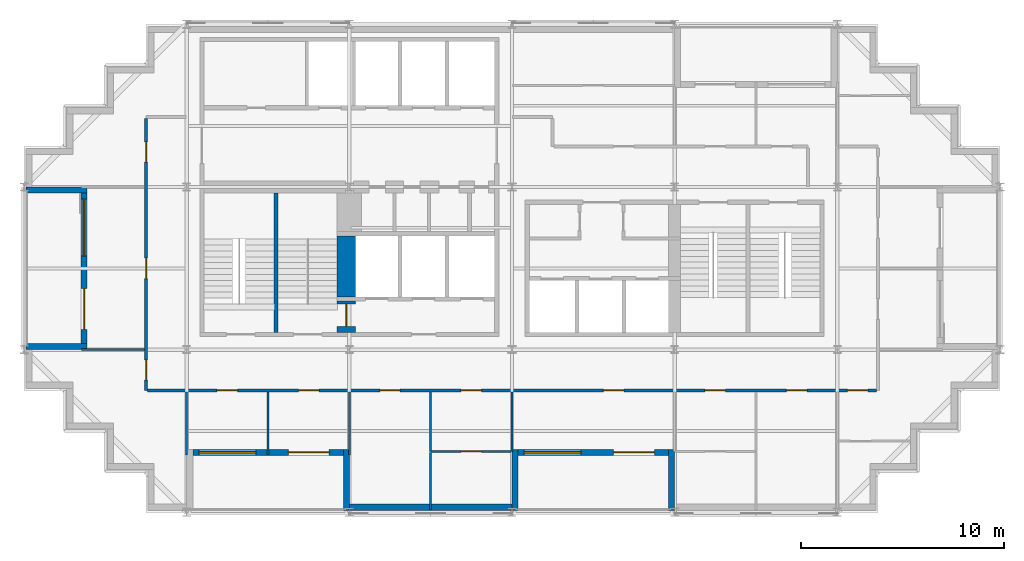
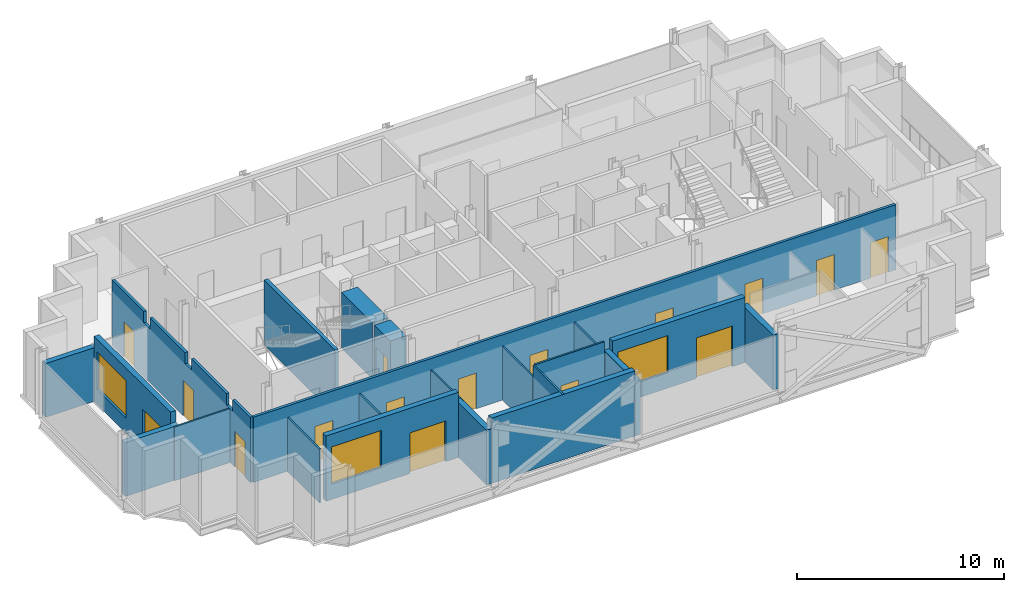
# One storey, part 4 of 9: 22 walls, 16 doors, 3 windows, 19 openings.
"""IFC4 building model written with IfcOpenShell, lengths in metres."""

from ifc_helpers import new_model, si_unit, direction, frame, frame_2d, origin, place, context, subcontext, project, spatial, polyline, rectangle, outline, extrude, material, layer, layer_set, type_object, element, fill, save


model = new_model("IFC4")

# Units and contexts
model_context = context("Model", 3, precision=1e-05, world=origin(), true_north=direction((0.0, 1.0)))
body_context = subcontext(model_context, "Body", "Model", "MODEL_VIEW")
ifc_project = project(units=[si_unit("LENGTHUNIT", "METRE"), si_unit("AREAUNIT", "SQUARE_METRE"), si_unit("VOLUMEUNIT", "CUBIC_METRE"), si_unit("PLANEANGLEUNIT", "RADIAN"), si_unit("MASSUNIT", "GRAM", prefix="KILO")], contexts=[model_context])

# Site, building, storey
site_placement = place(None, origin())
site = spatial("IfcSite", under=ifc_project, at=site_placement, CompositionType="ELEMENT")
building_placement = place(site_placement, origin())
building = spatial("IfcBuilding", under=site, at=building_placement, Name="Immortelle Media Tower", CompositionType="ELEMENT")
storey_placement = place(building_placement, frame((0.0, 0.0, 225.0)))
storey = spatial("IfcBuildingStorey", under=building, at=storey_placement, Name="L48", CompositionType="ELEMENT", Elevation=225.0)

# Wall, openings, doors
ifc_material_1 = material(Name="Fire-rated gypsum board", Category="gypsum")
ifc_layer_1 = layer(ifc_material_1, 0.012451171875)
ifc_material_2 = material(Name="Steel ASTM A653 SS Gr 50 stud frame with mineral wool", Category="steel")
ifc_layer_2 = layer(ifc_material_2, 0.125)
ifc_layer_3 = layer(ifc_material_1, 0.012451171875)
ifc_layer_set_1 = layer_set([ifc_layer_1, ifc_layer_2, ifc_layer_3], Name="Steel ASTM A653 SS Gr 50 stud frame with mineral wool")
wall_type_1 = type_object("IfcWallType", Name="Corridor wall 150", PredefinedType="PARTITIONING", material=ifc_layer_set_1)
wall_1_placement = place(storey_placement, frame((6.074951171875, 6.0, 0.0), z_axis=(0.0, 0.0, 1.0), x_axis=(1.0, 0.0, 0.0)))
wall_1 = element("IfcWall", 1, at=wall_1_placement, inside=storey, type_object=wall_type_1, Name="Partition L48-015", PredefinedType="PARTITIONING", context=body_context, shape_type="SweptSolid", body=[
    extrude(rectangle(XDim=35.85009765625, YDim=0.14990234375, at=frame_2d((17.925048828125, 0.0))), origin(), (0.0, 0.0, 1.0), 3.85009765625),
])
opening_1_placement = place(wall_1_placement, frame((12.425048828125, 0.0, 0.0), z_axis=(0.0, 0.0, 1.0), x_axis=(-1.0, 0.0, 0.0)))
opening_1 = element("IfcOpeningElement", 2, at=opening_1_placement, cuts=wall_1, Name="Opening O5-F001", PredefinedType="OPENING", context=body_context, shape_type="SweptSolid", body=[
    extrude(rectangle(XDim=1.0, YDim=2.10009765625, at=frame_2d((0.5, 1.050048828125))), frame((0.0, 0.0849609375, 0.0), z_axis=(0.0, -1.0, 0.0), x_axis=(1.0, 0.0, 0.0)), (0.0, 0.0, 1.0), 0.169921875),
])
opening_2_placement = place(wall_1_placement, frame((16.425048828125, 0.0, 0.0), z_axis=(0.0, 0.0, 1.0), x_axis=(-1.0, 0.0, 0.0)))
opening_2 = element("IfcOpeningElement", 3, at=opening_2_placement, cuts=wall_1, Name="Opening O5-F002", PredefinedType="OPENING", context=body_context, shape_type="SweptSolid", body=[
    extrude(rectangle(XDim=1.0, YDim=2.10009765625, at=frame_2d((0.5, 1.050048828125))), frame((0.0, 0.0849609375, 0.0), z_axis=(0.0, -1.0, 0.0), x_axis=(1.0, 0.0, 0.0)), (0.0, 0.0, 1.0), 0.169921875),
])
opening_3_placement = place(wall_1_placement, frame((28.425048828125, 0.0, 0.0), z_axis=(0.0, 0.0, 1.0), x_axis=(-1.0, 0.0, 0.0)))
opening_3 = element("IfcOpeningElement", 4, at=opening_3_placement, cuts=wall_1, Name="Opening O5-F004", PredefinedType="OPENING", context=body_context, shape_type="SweptSolid", body=[
    extrude(rectangle(XDim=1.0, YDim=2.10009765625, at=frame_2d((0.5, 1.050048828125))), frame((0.0, 0.0849609375, 0.0), z_axis=(0.0, -1.0, 0.0), x_axis=(1.0, 0.0, 0.0)), (0.0, 0.0, 1.0), 0.169921875),
])
opening_4_placement = place(wall_1_placement, frame((32.425048828125, 0.0, 0.0), z_axis=(0.0, 0.0, 1.0), x_axis=(-1.0, 0.0, 0.0)))
opening_4 = element("IfcOpeningElement", 5, at=opening_4_placement, cuts=wall_1, Name="Opening O5-F006", PredefinedType="OPENING", context=body_context, shape_type="SweptSolid", body=[
    extrude(rectangle(XDim=1.0, YDim=2.10009765625, at=frame_2d((0.5, 1.050048828125))), frame((0.0, 0.0849609375, 0.0), z_axis=(0.0, -1.0, 0.0), x_axis=(1.0, 0.0, 0.0)), (0.0, 0.0, 1.0), 0.169921875),
])
opening_5_placement = place(wall_1_placement, frame((4.425048828125, 0.0, 0.0), z_axis=(0.0, 0.0, 1.0), x_axis=(-1.0, 0.0, 0.0)))
opening_5 = element("IfcOpeningElement", 6, at=opening_5_placement, cuts=wall_1, Name="Opening O5-F007", PredefinedType="OPENING", context=body_context, shape_type="SweptSolid", body=[
    extrude(rectangle(XDim=1.0, YDim=2.10009765625, at=frame_2d((0.5, 1.050048828125))), frame((0.0, 0.0849609375, 0.0), z_axis=(0.0, -1.0, 0.0), x_axis=(1.0, 0.0, 0.0)), (0.0, 0.0, 1.0), 0.169921875),
])
opening_6_placement = place(wall_1_placement, frame((8.425048828125, 0.0, 0.0), z_axis=(0.0, 0.0, 1.0), x_axis=(-1.0, 0.0, 0.0)))
opening_6 = element("IfcOpeningElement", 7, at=opening_6_placement, cuts=wall_1, Name="Opening O5-F008", PredefinedType="OPENING", context=body_context, shape_type="SweptSolid", body=[
    extrude(rectangle(XDim=1.0, YDim=2.10009765625, at=frame_2d((0.5, 1.050048828125))), frame((0.0, 0.0849609375, 0.0), z_axis=(0.0, -1.0, 0.0), x_axis=(1.0, 0.0, 0.0)), (0.0, 0.0, 1.0), 0.169921875),
])
opening_7_placement = place(wall_1_placement, frame((23.425048828125, 0.0, 0.0), z_axis=(0.0, 0.0, 1.0), x_axis=(-1.0, 0.0, 0.0)))
opening_7 = element("IfcOpeningElement", 8, at=opening_7_placement, cuts=wall_1, Name="Opening O5-F009", PredefinedType="OPENING", context=body_context, shape_type="SweptSolid", body=[
    extrude(rectangle(XDim=1.0, YDim=2.10009765625, at=frame_2d((0.5, 1.050048828125))), frame((0.0, 0.0849609375, 0.0), z_axis=(0.0, -1.0, 0.0), x_axis=(1.0, 0.0, 0.0)), (0.0, 0.0, 1.0), 0.169921875),
])
opening_8_placement = place(wall_1_placement, frame((35.425048828125, 0.0, 0.0), z_axis=(0.0, 0.0, 1.0), x_axis=(-1.0, 0.0, 0.0)))
opening_8 = element("IfcOpeningElement", 9, at=opening_8_placement, cuts=wall_1, Name="Opening O5-F011", PredefinedType="OPENING", context=body_context, shape_type="SweptSolid", body=[
    extrude(rectangle(XDim=1.0, YDim=2.10009765625, at=frame_2d((0.5, 1.050048828125))), frame((0.0, 0.0849609375, 0.0), z_axis=(0.0, -1.0, 0.0), x_axis=(1.0, 0.0, 0.0)), (0.0, 0.0, 1.0), 0.169921875),
])
ifc_material_3 = material(Name="Timber veneered door leaf, galvanised steel frame ASTM A653", Category="steel")
door_type_1 = type_object("IfcDoorType", Name="Room door 1000 x 2100", OperationType="NOTDEFINED", PredefinedType="DOOR", material=ifc_material_3)
door_1_placement = place(opening_1_placement, origin())
door_1 = element("IfcDoor", 10, at=door_1_placement, inside=storey, type_object=door_type_1, Name="Door O5-F001", OperationType="SINGLE_SWING_RIGHT", OverallHeight=2.10009765625, OverallWidth=1.0, PredefinedType="DOOR", context=body_context, shape_type="SweptSolid", body=[
    extrude(rectangle(XDim=1.0, YDim=2.10009765625, at=frame_2d((0.5, 1.050048828125))), frame((0.0, 0.02490234375, 0.0), z_axis=(0.0, -1.0, 0.0), x_axis=(1.0, 0.0, 0.0)), (0.0, 0.0, 1.0), 0.050048828125),
])
fill(opening_1, door_1)
door_2_placement = place(opening_2_placement, origin())
door_2 = element("IfcDoor", 11, at=door_2_placement, inside=storey, type_object=door_type_1, Name="Door O5-F002", OperationType="SINGLE_SWING_LEFT", OverallHeight=2.10009765625, OverallWidth=1.0, PredefinedType="DOOR", context=body_context, shape_type="SweptSolid", body=[
    extrude(rectangle(XDim=1.0, YDim=2.10009765625, at=frame_2d((0.5, 1.050048828125))), frame((0.0, 0.02490234375, 0.0), z_axis=(0.0, -1.0, 0.0), x_axis=(1.0, 0.0, 0.0)), (0.0, 0.0, 1.0), 0.050048828125),
])
fill(opening_2, door_2)
door_3_placement = place(opening_3_placement, origin())
door_3 = element("IfcDoor", 12, at=door_3_placement, inside=storey, type_object=door_type_1, Name="Door O5-F004", OperationType="SINGLE_SWING_LEFT", OverallHeight=2.10009765625, OverallWidth=1.0, PredefinedType="DOOR", context=body_context, shape_type="SweptSolid", body=[
    extrude(rectangle(XDim=1.0, YDim=2.10009765625, at=frame_2d((0.5, 1.050048828125))), frame((0.0, 0.02490234375, 0.0), z_axis=(0.0, -1.0, 0.0), x_axis=(1.0, 0.0, 0.0)), (0.0, 0.0, 1.0), 0.050048828125),
])
fill(opening_3, door_3)
door_4_placement = place(opening_4_placement, origin())
door_4 = element("IfcDoor", 13, at=door_4_placement, inside=storey, type_object=door_type_1, Name="Door O5-F006", OperationType="SINGLE_SWING_LEFT", OverallHeight=2.10009765625, OverallWidth=1.0, PredefinedType="DOOR", context=body_context, shape_type="SweptSolid", body=[
    extrude(rectangle(XDim=1.0, YDim=2.10009765625, at=frame_2d((0.5, 1.050048828125))), frame((0.0, 0.02490234375, 0.0), z_axis=(0.0, -1.0, 0.0), x_axis=(1.0, 0.0, 0.0)), (0.0, 0.0, 1.0), 0.050048828125),
])
fill(opening_4, door_4)
door_5_placement = place(opening_5_placement, origin())
door_5 = element("IfcDoor", 14, at=door_5_placement, inside=storey, type_object=door_type_1, Name="Door O5-F007", OperationType="SINGLE_SWING_LEFT", OverallHeight=2.10009765625, OverallWidth=1.0, PredefinedType="DOOR", context=body_context, shape_type="SweptSolid", body=[
    extrude(rectangle(XDim=1.0, YDim=2.10009765625, at=frame_2d((0.5, 1.050048828125))), frame((0.0, 0.02490234375, 0.0), z_axis=(0.0, -1.0, 0.0), x_axis=(1.0, 0.0, 0.0)), (0.0, 0.0, 1.0), 0.050048828125),
])
fill(opening_5, door_5)
door_6_placement = place(opening_6_placement, origin())
door_6 = element("IfcDoor", 15, at=door_6_placement, inside=storey, type_object=door_type_1, Name="Door O5-F008", OperationType="SINGLE_SWING_LEFT", OverallHeight=2.10009765625, OverallWidth=1.0, PredefinedType="DOOR", context=body_context, shape_type="SweptSolid", body=[
    extrude(rectangle(XDim=1.0, YDim=2.10009765625, at=frame_2d((0.5, 1.050048828125))), frame((0.0, 0.02490234375, 0.0), z_axis=(0.0, -1.0, 0.0), x_axis=(1.0, 0.0, 0.0)), (0.0, 0.0, 1.0), 0.050048828125),
])
fill(opening_6, door_6)
door_7_placement = place(opening_7_placement, origin())
door_7 = element("IfcDoor", 16, at=door_7_placement, inside=storey, type_object=door_type_1, Name="Door O5-F009", OperationType="SINGLE_SWING_LEFT", OverallHeight=2.10009765625, OverallWidth=1.0, PredefinedType="DOOR", context=body_context, shape_type="SweptSolid", body=[
    extrude(rectangle(XDim=1.0, YDim=2.10009765625, at=frame_2d((0.5, 1.050048828125))), frame((0.0, 0.02490234375, 0.0), z_axis=(0.0, -1.0, 0.0), x_axis=(1.0, 0.0, 0.0)), (0.0, 0.0, 1.0), 0.050048828125),
])
fill(opening_7, door_7)
door_8_placement = place(opening_8_placement, origin())
door_8 = element("IfcDoor", 17, at=door_8_placement, inside=storey, type_object=door_type_1, Name="Door O5-F011", OperationType="SINGLE_SWING_RIGHT", OverallHeight=2.10009765625, OverallWidth=1.0, PredefinedType="DOOR", context=body_context, shape_type="SweptSolid", body=[
    extrude(rectangle(XDim=1.0, YDim=2.10009765625, at=frame_2d((0.5, 1.050048828125))), frame((0.0, 0.02490234375, 0.0), z_axis=(0.0, -1.0, 0.0), x_axis=(1.0, 0.0, 0.0)), (0.0, 0.0, 1.0), 0.050048828125),
])
fill(opening_8, door_8)

wall_2_placement = place(storey_placement, frame((6.0, 6.0, 0.0), z_axis=(0.0, 0.0, 1.0), x_axis=(0.0, 1.0, 0.0)))
wall_2 = element("IfcWall", 18, at=wall_2_placement, inside=storey, type_object=wall_type_1, Name="Partition L48-016", PredefinedType="PARTITIONING", context=body_context, shape_type="SweptSolid", body=[
    extrude(outline(polyline([(0.0, 0.0), (13.375, 0.0), (13.375, 3.85009765625), (10.300048828125, 3.85009765625), (10.298095703125, 3.172119140625), (9.701904296875, 3.172119140625), (9.699951171875, 3.85009765625), (6.300048828125, 3.85009765625), (6.298095703125, 3.172119140625), (5.701904296875, 3.172119140625), (5.699951171875, 3.85009765625), (2.300048828125, 3.85009765625), (2.298095703125, 3.172119140625), (1.701904296875, 3.172119140625), (1.699951171875, 3.85009765625), (0.0, 3.85009765625), (0.0, 0.0)])), frame((0.0, 0.074951171875, 0.0), z_axis=(0.0, -1.0, 0.0), x_axis=(1.0, 0.0, 0.0)), (0.0, 0.0, 1.0), 0.14990234375),
])
opening_9_placement = place(wall_2_placement, frame((0.5, 0.0, 0.0)))
opening_9 = element("IfcOpeningElement", 19, at=opening_9_placement, cuts=wall_2, Name="Opening O5-F010", PredefinedType="OPENING", context=body_context, shape_type="SweptSolid", body=[
    extrude(rectangle(XDim=1.0, YDim=2.10009765625, at=frame_2d((0.5, 1.050048828125))), frame((0.0, 0.0849609375, 0.0), z_axis=(0.0, -1.0, 0.0), x_axis=(1.0, 0.0, 0.0)), (0.0, 0.0, 1.0), 0.169921875),
])
opening_10_placement = place(wall_2_placement, frame((5.5, 0.0, 0.0)))
opening_10 = element("IfcOpeningElement", 20, at=opening_10_placement, cuts=wall_2, Name="Opening O5-F013", PredefinedType="OPENING", context=body_context, shape_type="SweptSolid", body=[
    extrude(rectangle(XDim=1.0, YDim=2.10009765625, at=frame_2d((0.5, 1.050048828125))), frame((0.0, 0.0849609375, 0.0), z_axis=(0.0, -1.0, 0.0), x_axis=(1.0, 0.0, 0.0)), (0.0, 0.0, 1.0), 0.169921875),
])
opening_11_placement = place(wall_2_placement, frame((11.22509765625, 0.0, 0.0)))
opening_11 = element("IfcOpeningElement", 21, at=opening_11_placement, cuts=wall_2, Name="Opening O5-F016", PredefinedType="OPENING", context=body_context, shape_type="SweptSolid", body=[
    extrude(rectangle(XDim=1.0, YDim=2.10009765625, at=frame_2d((0.5, 1.050048828125))), frame((0.0, 0.0849609375, 0.0), z_axis=(0.0, -1.0, 0.0), x_axis=(1.0, 0.0, 0.0)), (0.0, 0.0, 1.0), 0.169921875),
])
door_9_placement = place(opening_9_placement, origin())
door_9 = element("IfcDoor", 22, at=door_9_placement, inside=storey, type_object=door_type_1, Name="Door O5-F010", OperationType="SINGLE_SWING_RIGHT", OverallHeight=2.10009765625, OverallWidth=1.0, PredefinedType="DOOR", context=body_context, shape_type="SweptSolid", body=[
    extrude(rectangle(XDim=1.0, YDim=2.10009765625, at=frame_2d((0.5, 1.050048828125))), frame((0.0, 0.02490234375, 0.0), z_axis=(0.0, -1.0, 0.0), x_axis=(1.0, 0.0, 0.0)), (0.0, 0.0, 1.0), 0.050048828125),
])
fill(opening_9, door_9)
door_10_placement = place(opening_10_placement, origin())
door_10 = element("IfcDoor", 23, at=door_10_placement, inside=storey, type_object=door_type_1, Name="Door O5-F013", OperationType="SINGLE_SWING_LEFT", OverallHeight=2.10009765625, OverallWidth=1.0, PredefinedType="DOOR", context=body_context, shape_type="SweptSolid", body=[
    extrude(rectangle(XDim=1.0, YDim=2.10009765625, at=frame_2d((0.5, 1.050048828125))), frame((0.0, 0.02490234375, 0.0), z_axis=(0.0, -1.0, 0.0), x_axis=(1.0, 0.0, 0.0)), (0.0, 0.0, 1.0), 0.050048828125),
])
fill(opening_10, door_10)
door_11_placement = place(opening_11_placement, origin())
door_11 = element("IfcDoor", 24, at=door_11_placement, inside=storey, type_object=door_type_1, Name="Door O5-F016", OperationType="SINGLE_SWING_LEFT", OverallHeight=2.10009765625, OverallWidth=1.0, PredefinedType="DOOR", context=body_context, shape_type="SweptSolid", body=[
    extrude(rectangle(XDim=1.0, YDim=2.10009765625, at=frame_2d((0.5, 1.050048828125))), frame((0.0, 0.02490234375, 0.0), z_axis=(0.0, -1.0, 0.0), x_axis=(1.0, 0.0, 0.0)), (0.0, 0.0, 1.0), 0.050048828125),
])
fill(opening_11, door_11)

# Wall, openings, door, window
ifc_material_4 = material(Name="Pale aluminium cladding panel", Category="aluminium")
ifc_layer_4 = layer(ifc_material_4, 0.030029296875)
ifc_layer_5 = layer(ifc_material_2, 0.257568359375)
ifc_material_5 = material(Name="Moisture-resistant gypsum board", Category="gypsum")
ifc_layer_6 = layer(ifc_material_5, 0.012451171875)
ifc_layer_set_2 = layer_set([ifc_layer_4, ifc_layer_5, ifc_layer_6], Name="Steel ASTM A653 SS Gr 50 stud frame with mineral wool")
wall_type_2 = type_object("IfcWallType", Name="Facade wall 300", PredefinedType="SOLIDWALL", material=ifc_layer_set_2)
wall_3_placement = place(storey_placement, frame((8.300048828125, 2.949951171875, 0.0), z_axis=(0.0, 0.0, 1.0), x_axis=(1.0, 0.0, 0.0)))
wall_3 = element("IfcWall", 25, at=wall_3_placement, inside=storey, type_object=wall_type_2, Name="Loggia wall L48 S6", PredefinedType="SOLIDWALL", context=body_context, shape_type="SweptSolid", body=[
    extrude(rectangle(XDim=7.39990234375, YDim=0.300048828125, at=frame_2d((3.699951171875, 0.0))), origin(), (0.0, 0.0, 1.0), 3.85009765625),
])
opening_12_placement = place(wall_3_placement, frame((0.300048828125, 0.0, 0.89990234375)))
opening_12 = element("IfcOpeningElement", 26, at=opening_12_placement, cuts=wall_3, Name="Opening W1", PredefinedType="OPENING", context=body_context, shape_type="SweptSolid", body=[
    extrude(rectangle(XDim=2.800048828125, YDim=2.199951171875, at=frame_2d((1.39990234375, 1.10009765625))), frame((0.0, 0.159912109375, 0.0), z_axis=(0.0, -1.0, 0.0), x_axis=(1.0, 0.0, 0.0)), (0.0, 0.0, 1.0), 0.320068359375),
])
opening_13_placement = place(wall_3_placement, frame((4.699951171875, 0.0, 0.0)))
opening_13 = element("IfcOpeningElement", 27, at=opening_13_placement, cuts=wall_3, Name="Opening O5-E001", PredefinedType="OPENING", context=body_context, shape_type="SweptSolid", body=[
    extrude(rectangle(XDim=2.0, YDim=2.39990234375, at=frame_2d((1.0, 1.199951171875))), frame((0.0, 0.159912109375, 0.0), z_axis=(0.0, -1.0, 0.0), x_axis=(1.0, 0.0, 0.0)), (0.0, 0.0, 1.0), 0.320068359375),
])
ifc_material_6 = material(Name="Aluminium frame, glazed leaves", Category="aluminium")
door_type_2 = type_object("IfcDoorType", Name="Loggia door 2000 x 2400", OperationType="DOUBLE_DOOR_SINGLE_SWING", PredefinedType="DOOR", material=ifc_material_6)
door_12_placement = place(opening_13_placement, origin())
door_12 = element("IfcDoor", 28, at=door_12_placement, inside=storey, type_object=door_type_2, Name="Door O5-E001", OperationType="DOUBLE_DOOR_SINGLE_SWING", OverallHeight=2.39990234375, OverallWidth=2.0, PredefinedType="DOOR", context=body_context, shape_type="SweptSolid", body=[
    extrude(rectangle(XDim=2.0, YDim=2.39990234375, at=frame_2d((1.0, 1.199951171875))), frame((0.0, 0.02490234375, 0.0), z_axis=(0.0, -1.0, 0.0), x_axis=(1.0, 0.0, 0.0)), (0.0, 0.0, 1.0), 0.050048828125),
])
fill(opening_13, door_12)
ifc_material_7 = material(Name="Aluminium frame", Category="aluminium")
window_type = type_object("IfcWindowType", Name="Window 2800 x 2200", PartitioningType="SINGLE_PANEL", PredefinedType="WINDOW", material=ifc_material_7)
window_1_placement = place(opening_12_placement, origin())
window_1 = element("IfcWindow", 29, at=window_1_placement, inside=storey, type_object=window_type, Name="Window L48 L48-R6-B0", OverallHeight=2.199951171875, OverallWidth=2.800048828125, PartitioningType="SINGLE_PANEL", PredefinedType="WINDOW", context=body_context, shape_type="SweptSolid", body=[
    extrude(rectangle(XDim=2.800048828125, YDim=2.199951171875, at=frame_2d((1.39990234375, 1.10009765625))), frame((0.0, 0.030029296875, 0.0), z_axis=(0.0, -1.0, 0.0), x_axis=(1.0, 0.0, 0.0)), (0.0, 0.0, 1.0), 0.06005859375),
])
fill(opening_12, window_1)

# Walls
wall_4_placement = place(storey_placement, frame((15.85009765625, 0.10009765625, 0.0), z_axis=(0.0, 0.0, 1.0), x_axis=(0.0, 1.0, 0.0)))
element("IfcWall", 30, at=wall_4_placement, inside=storey, type_object=wall_type_2, Name="Loggia cheek wall L48 S", PredefinedType="SOLIDWALL", context=body_context, shape_type="SweptSolid", body=[
    extrude(rectangle(XDim=3.0, YDim=0.300048828125, at=frame_2d((1.5, 0.0))), origin(), (0.0, 0.0, 1.0), 3.237060546875),
])
wall_5_placement = place(storey_placement, frame((16.0, 0.25, 0.0), z_axis=(0.0, 0.0, 1.0), x_axis=(1.0, 0.0, 0.0)))
element("IfcWall", 31, at=wall_5_placement, inside=storey, type_object=wall_type_2, Name="Facade wall L48 S6", PredefinedType="SOLIDWALL", context=body_context, shape_type="SweptSolid", body=[
    extrude(rectangle(XDim=8.0, YDim=0.300048828125, at=frame_2d((4.0, 0.0))), origin(), (0.0, 0.0, 1.0), 3.85009765625),
])

# Wall, openings, door, window
wall_6_placement = place(storey_placement, frame((24.300048828125, 2.949951171875, 0.0), z_axis=(0.0, 0.0, 1.0), x_axis=(1.0, 0.0, 0.0)))
wall_6 = element("IfcWall", 32, at=wall_6_placement, inside=storey, type_object=wall_type_2, Name="Loggia wall L48 S6", PredefinedType="SOLIDWALL", context=body_context, shape_type="SweptSolid", body=[
    extrude(rectangle(XDim=7.39990234375, YDim=0.300048828125, at=frame_2d((3.699951171875, 0.0))), origin(), (0.0, 0.0, 1.0), 3.85009765625),
])
opening_14_placement = place(wall_6_placement, frame((0.300048828125, 0.0, 0.89990234375)))
opening_14 = element("IfcOpeningElement", 33, at=opening_14_placement, cuts=wall_6, Name="Opening W1", PredefinedType="OPENING", context=body_context, shape_type="SweptSolid", body=[
    extrude(rectangle(XDim=2.800048828125, YDim=2.199951171875, at=frame_2d((1.39990234375, 1.10009765625))), frame((0.0, 0.159912109375, 0.0), z_axis=(0.0, -1.0, 0.0), x_axis=(1.0, 0.0, 0.0)), (0.0, 0.0, 1.0), 0.320068359375),
])
opening_15_placement = place(wall_6_placement, frame((4.699951171875, 0.0, 0.0)))
opening_15 = element("IfcOpeningElement", 34, at=opening_15_placement, cuts=wall_6, Name="Opening O5-E002", PredefinedType="OPENING", context=body_context, shape_type="SweptSolid", body=[
    extrude(rectangle(XDim=2.0, YDim=2.39990234375, at=frame_2d((1.0, 1.199951171875))), frame((0.0, 0.159912109375, 0.0), z_axis=(0.0, -1.0, 0.0), x_axis=(1.0, 0.0, 0.0)), (0.0, 0.0, 1.0), 0.320068359375),
])
door_13_placement = place(opening_15_placement, origin())
door_13 = element("IfcDoor", 35, at=door_13_placement, inside=storey, type_object=door_type_2, Name="Door O5-E002", OperationType="DOUBLE_DOOR_SINGLE_SWING", OverallHeight=2.39990234375, OverallWidth=2.0, PredefinedType="DOOR", context=body_context, shape_type="SweptSolid", body=[
    extrude(rectangle(XDim=2.0, YDim=2.39990234375, at=frame_2d((1.0, 1.199951171875))), frame((0.0, 0.02490234375, 0.0), z_axis=(0.0, -1.0, 0.0), x_axis=(1.0, 0.0, 0.0)), (0.0, 0.0, 1.0), 0.050048828125),
])
fill(opening_15, door_13)
window_2_placement = place(opening_14_placement, origin())
window_2 = element("IfcWindow", 36, at=window_2_placement, inside=storey, type_object=window_type, Name="Window L48 L48-R6-B2", OverallHeight=2.199951171875, OverallWidth=2.800048828125, PartitioningType="SINGLE_PANEL", PredefinedType="WINDOW", context=body_context, shape_type="SweptSolid", body=[
    extrude(rectangle(XDim=2.800048828125, YDim=2.199951171875, at=frame_2d((1.39990234375, 1.10009765625))), frame((0.0, 0.030029296875, 0.0), z_axis=(0.0, -1.0, 0.0), x_axis=(1.0, 0.0, 0.0)), (0.0, 0.0, 1.0), 0.06005859375),
])
fill(opening_14, window_2)

# Walls
for number, where, z_axis, x_axis, name in (
    (37, (24.14990234375, 0.10009765625, 0.0), (0.0, 0.0, 1.0), (0.0, 1.0, 0.0), "Loggia cheek wall L48 S"),
    (38, (31.85009765625, 0.10009765625, 0.0), (0.0, 0.0, 1.0), (0.0, 1.0, 0.0), "Loggia cheek wall L48 S"),
):
    element("IfcWall", number, at=place(storey_placement, frame(where, z_axis=z_axis, x_axis=x_axis)), inside=storey, type_object=wall_type_2, Name=name, PredefinedType="SOLIDWALL", context=body_context, shape_type="SweptSolid", body=[
        extrude(rectangle(XDim=3.0, YDim=0.300048828125, at=frame_2d((1.5, 0.0))), origin(), (0.0, 0.0, 1.0), 3.237060546875),
    ])

# Wall, openings, door, window
wall_7_placement = place(storey_placement, frame((2.949951171875, 15.699951171875, 0.0), z_axis=(0.0, 0.0, 1.0), x_axis=(0.0, -1.0, 0.0)))
wall_7 = element("IfcWall", 39, at=wall_7_placement, inside=storey, type_object=wall_type_2, Name="Loggia wall L48 W27", PredefinedType="SOLIDWALL", context=body_context, shape_type="SweptSolid", body=[
    extrude(rectangle(XDim=7.39990234375, YDim=0.300048828125, at=frame_2d((3.699951171875, 0.0))), origin(), (0.0, 0.0, 1.0), 3.85009765625),
])
opening_16_placement = place(wall_7_placement, frame((0.300048828125, 0.0, 0.89990234375)))
opening_16 = element("IfcOpeningElement", 40, at=opening_16_placement, cuts=wall_7, Name="Opening W1", PredefinedType="OPENING", context=body_context, shape_type="SweptSolid", body=[
    extrude(rectangle(XDim=2.800048828125, YDim=2.199951171875, at=frame_2d((1.39990234375, 1.10009765625))), frame((0.0, 0.159912109375, 0.0), z_axis=(0.0, -1.0, 0.0), x_axis=(1.0, 0.0, 0.0)), (0.0, 0.0, 1.0), 0.320068359375),
])
opening_17_placement = place(wall_7_placement, frame((4.699951171875, 0.0, 0.0)))
opening_17 = element("IfcOpeningElement", 41, at=opening_17_placement, cuts=wall_7, Name="Opening O5-E006", PredefinedType="OPENING", context=body_context, shape_type="SweptSolid", body=[
    extrude(rectangle(XDim=2.0, YDim=2.39990234375, at=frame_2d((1.0, 1.199951171875))), frame((0.0, 0.159912109375, 0.0), z_axis=(0.0, -1.0, 0.0), x_axis=(1.0, 0.0, 0.0)), (0.0, 0.0, 1.0), 0.320068359375),
])
door_14_placement = place(opening_17_placement, origin())
door_14 = element("IfcDoor", 42, at=door_14_placement, inside=storey, type_object=door_type_2, Name="Door O5-E006", OperationType="DOUBLE_DOOR_SINGLE_SWING", OverallHeight=2.39990234375, OverallWidth=2.0, PredefinedType="DOOR", context=body_context, shape_type="SweptSolid", body=[
    extrude(rectangle(XDim=2.0, YDim=2.39990234375, at=frame_2d((1.0, 1.199951171875))), frame((0.0, 0.02490234375, 0.0), z_axis=(0.0, -1.0, 0.0), x_axis=(1.0, 0.0, 0.0)), (0.0, 0.0, 1.0), 0.050048828125),
])
fill(opening_17, door_14)
window_3_placement = place(opening_16_placement, origin())
window_3 = element("IfcWindow", 43, at=window_3_placement, inside=storey, type_object=window_type, Name="Window L48 L48-R27-B0", OverallHeight=2.199951171875, OverallWidth=2.800048828125, PartitioningType="SINGLE_PANEL", PredefinedType="WINDOW", context=body_context, shape_type="SweptSolid", body=[
    extrude(rectangle(XDim=2.800048828125, YDim=2.199951171875, at=frame_2d((1.39990234375, 1.10009765625))), frame((0.0, 0.030029296875, 0.0), z_axis=(0.0, -1.0, 0.0), x_axis=(1.0, 0.0, 0.0)), (0.0, 0.0, 1.0), 0.06005859375),
])
fill(opening_16, window_3)

# Walls
for number, where, z_axis, x_axis, name in (
    (44, (0.10009765625, 15.85009765625, 0.0), (0.0, 0.0, 1.0), (1.0, 0.0, 0.0), "Loggia cheek wall L48 W"),
    (45, (0.10009765625, 8.14990234375, 0.0), (0.0, 0.0, 1.0), (1.0, 0.0, 0.0), "Loggia cheek wall L48 W"),
):
    element("IfcWall", number, at=place(storey_placement, frame(where, z_axis=z_axis, x_axis=x_axis)), inside=storey, type_object=wall_type_2, Name=name, PredefinedType="SOLIDWALL", context=body_context, shape_type="SweptSolid", body=[
        extrude(rectangle(XDim=3.0, YDim=0.300048828125, at=frame_2d((1.5, 0.0))), origin(), (0.0, 0.0, 1.0), 3.1708984375),
    ])
ifc_material_8 = material(Name="Gypsum board", Category="gypsum")
ifc_layer_7 = layer(ifc_material_8, 0.012451171875)
ifc_layer_8 = layer(ifc_material_2, 0.074951171875)
ifc_layer_9 = layer(ifc_material_8, 0.012451171875)
ifc_layer_set_3 = layer_set([ifc_layer_7, ifc_layer_8, ifc_layer_9], Name="Steel ASTM A653 SS Gr 50 stud frame with mineral wool")
wall_type_3 = type_object("IfcWallType", Name="Partition 100", PredefinedType="PARTITIONING", material=ifc_layer_set_3)
wall_8_placement = place(storey_placement, frame((20.0, 0.1298828125, 0.0), z_axis=(0.0, 0.0, 1.0), x_axis=(0.0, 1.0, 0.0)))
element("IfcWall", 46, at=wall_8_placement, inside=storey, type_object=wall_type_3, Name="Partition L48-001", PredefinedType="PARTITIONING", context=body_context, shape_type="SweptSolid", body=[
    extrude(rectangle(XDim=2.820068359375, YDim=0.10009765625, at=frame_2d((1.41015625, 0.0))), origin(), (0.0, 0.0, 1.0), 3.85009765625),
])
for number, where, z_axis, x_axis, name in (
    (47, (8.0, 2.830078125, 0.0), (0.0, 0.0, 1.0), (0.0, 1.0, 0.0), "Partition L48-004"),
    (48, (12.0, 2.830078125, 0.0), (0.0, 0.0, 1.0), (0.0, 1.0, 0.0), "Partition L48-005"),
    (49, (16.0, 2.830078125, 0.0), (0.0, 0.0, 1.0), (0.0, 1.0, 0.0), "Partition L48-006"),
):
    element("IfcWall", number, at=place(storey_placement, frame(where, z_axis=z_axis, x_axis=x_axis)), inside=storey, type_object=wall_type_3, Name=name, PredefinedType="PARTITIONING", context=body_context, shape_type="SweptSolid", body=[
        extrude(rectangle(XDim=3.094970703125, YDim=0.10009765625, at=frame_2d((1.54736328125, 0.0))), origin(), (0.0, 0.0, 1.0), 3.172119140625),
    ])

# Wall, opening, door
wall_9_placement = place(storey_placement, frame((20.050048828125, 3.0, 0.0), z_axis=(0.0, 0.0, 1.0), x_axis=(1.0, 0.0, 0.0)))
wall_9 = element("IfcWall", 50, at=wall_9_placement, inside=storey, type_object=wall_type_3, Name="Partition L48-007", PredefinedType="PARTITIONING", context=body_context, shape_type="SweptSolid", body=[
    extrude(rectangle(XDim=3.89990234375, YDim=0.10009765625, at=frame_2d((1.949951171875, 0.0))), origin(), (0.0, 0.0, 1.0), 3.85009765625),
])
opening_18_placement = place(wall_9_placement, frame((2.449951171875, 0.0, 0.0), z_axis=(0.0, 0.0, 1.0), x_axis=(-1.0, 0.0, 0.0)))
opening_18 = element("IfcOpeningElement", 51, at=opening_18_placement, cuts=wall_9, Name="Opening O5-F003", PredefinedType="OPENING", context=body_context, shape_type="SweptSolid", body=[
    extrude(rectangle(XDim=1.0, YDim=2.10009765625, at=frame_2d((0.5, 1.050048828125))), frame((0.0, 0.06005859375, 0.0), z_axis=(0.0, -1.0, 0.0), x_axis=(1.0, 0.0, 0.0)), (0.0, 0.0, 1.0), 0.1201171875),
])
door_15_placement = place(opening_18_placement, origin())
door_15 = element("IfcDoor", 52, at=door_15_placement, inside=storey, type_object=door_type_1, Name="Door O5-F003", OperationType="SINGLE_SWING_LEFT", OverallHeight=2.10009765625, OverallWidth=1.0, PredefinedType="DOOR", context=body_context, shape_type="SweptSolid", body=[
    extrude(rectangle(XDim=1.0, YDim=2.10009765625, at=frame_2d((0.5, 1.050048828125))), frame((0.0, 0.02490234375, 0.0), z_axis=(0.0, -1.0, 0.0), x_axis=(1.0, 0.0, 0.0)), (0.0, 0.0, 1.0), 0.050048828125),
])
fill(opening_18, door_15)

# Walls
for number, where, z_axis, x_axis, name in (
    (53, (20.0, 3.0, 0.0), (0.0, 0.0, 1.0), (0.0, 1.0, 0.0), "Partition L48-008"),
    (54, (24.0, 3.0, 0.0), (0.0, 0.0, 1.0), (0.0, 1.0, 0.0), "Partition L48-009"),
):
    element("IfcWall", number, at=place(storey_placement, frame(where, z_axis=z_axis, x_axis=x_axis)), inside=storey, type_object=wall_type_3, Name=name, PredefinedType="PARTITIONING", context=body_context, shape_type="SweptSolid", body=[
        extrude(rectangle(XDim=2.925048828125, YDim=0.10009765625, at=frame_2d((1.46240234375, 0.0))), origin(), (0.0, 0.0, 1.0), 3.172119140625),
    ])
wall_10_placement = place(storey_placement, frame((2.830078125, 8.0, 0.0), z_axis=(0.0, 0.0, 1.0), x_axis=(1.0, 0.0, 0.0)))
element("IfcWall", 55, at=wall_10_placement, inside=storey, type_object=wall_type_3, Name="Partition L48-018", PredefinedType="PARTITIONING", context=body_context, shape_type="SweptSolid", body=[
    extrude(rectangle(XDim=3.094970703125, YDim=0.10009765625, at=frame_2d((1.54736328125, 0.0))), origin(), (0.0, 0.0, 1.0), 3.172119140625),
])
ifc_material_9 = material(Name="Concrete C60", Category="concrete")
ifc_layer_10 = layer(ifc_material_9, 0.199951171875)
ifc_layer_set_4 = layer_set([ifc_layer_10], Name="Concrete C60")
wall_type_4 = type_object("IfcWallType", Name="Stair shaft wall 200", PredefinedType="PARTITIONING", material=ifc_layer_set_4)
wall_11_placement = place(storey_placement, frame((12.39990234375, 8.85009765625, 0.0), z_axis=(0.0, 0.0, 1.0), x_axis=(0.0, 1.0, 0.0)))
element("IfcWall", 56, at=wall_11_placement, inside=storey, type_object=wall_type_4, Name="Stair shaft wall SW", PredefinedType="PARTITIONING", context=body_context, shape_type="SweptSolid", body=[
    extrude(rectangle(XDim=6.849853515625, YDim=0.199951171875, at=frame_2d((3.4248046875, 0.0))), origin(), (0.0, 0.0, 1.0), 3.85009765625),
])

# Wall, opening, door
ifc_layer_11 = layer(ifc_material_9, 0.89990234375)
ifc_layer_set_5 = layer_set([ifc_layer_11], Name="Concrete C60")
wall_type_5 = type_object("IfcWallType", Name="Stair shaft wall 900", PredefinedType="PARTITIONING", material=ifc_layer_set_5)
wall_12_placement = place(storey_placement, frame((15.85009765625, 8.85009765625, 0.0), z_axis=(0.0, 0.0, 1.0), x_axis=(0.0, 1.0, 0.0)))
wall_12 = element("IfcWall", 57, at=wall_12_placement, inside=storey, type_object=wall_type_5, Name="Stair shaft wall SW", PredefinedType="PARTITIONING", context=body_context, shape_type="SweptSolid", body=[
    extrude(rectangle(XDim=1.5498046875, YDim=0.89990234375, at=frame_2d((0.77490234375, 0.0))), origin(), (0.0, 0.0, 1.0), 3.30810546875),
])
opening_19_placement = place(wall_12_placement, frame((0.300048828125, 0.0, 0.0)))
opening_19 = element("IfcOpeningElement", 58, at=opening_19_placement, cuts=wall_12, Name="Opening O5-K006", PredefinedType="OPENING", context=body_context, shape_type="SweptSolid", body=[
    extrude(rectangle(XDim=1.10009765625, YDim=2.10009765625, at=frame_2d((0.550048828125, 1.050048828125))), frame((0.0, 0.4599609375, 0.0), z_axis=(0.0, -1.0, 0.0), x_axis=(1.0, 0.0, 0.0)), (0.0, 0.0, 1.0), 0.919921875),
])
ifc_material_10 = material(Name="Galvanised steel door leaf and frame ASTM A653", Category="steel")
door_type_3 = type_object("IfcDoorType", Name="Stair lobby door 1100 x 2100", OperationType="NOTDEFINED", PredefinedType="NOTDEFINED", material=ifc_material_10)
door_16_placement = place(opening_19_placement, origin())
door_16 = element("IfcDoor", 59, at=door_16_placement, inside=storey, type_object=door_type_3, Name="Stair lobby O5-K006", OperationType="SINGLE_SWING_LEFT", OverallHeight=2.10009765625, OverallWidth=1.10009765625, PredefinedType="NOTDEFINED", context=body_context, shape_type="SweptSolid", body=[
    extrude(rectangle(XDim=1.10009765625, YDim=2.10009765625, at=frame_2d((0.550048828125, 1.050048828125))), frame((0.0, 0.02490234375, 0.0), z_axis=(0.0, -1.0, 0.0), x_axis=(1.0, 0.0, 0.0)), (0.0, 0.0, 1.0), 0.050048828125),
])
fill(opening_19, door_16)

# Wall
wall_13_placement = place(storey_placement, frame((15.85009765625, 10.60009765625, 0.0), z_axis=(0.0, 0.0, 1.0), x_axis=(0.0, 1.0, 0.0)))
element("IfcWall", 60, at=wall_13_placement, inside=storey, type_object=wall_type_5, Name="Stair shaft wall SW", PredefinedType="PARTITIONING", context=body_context, shape_type="SweptSolid", body=[
    extrude(rectangle(XDim=3.0, YDim=0.89990234375, at=frame_2d((1.5, 0.0))), origin(), (0.0, 0.0, 1.0), 3.30810546875),
])

save(model, "model.ifc")
